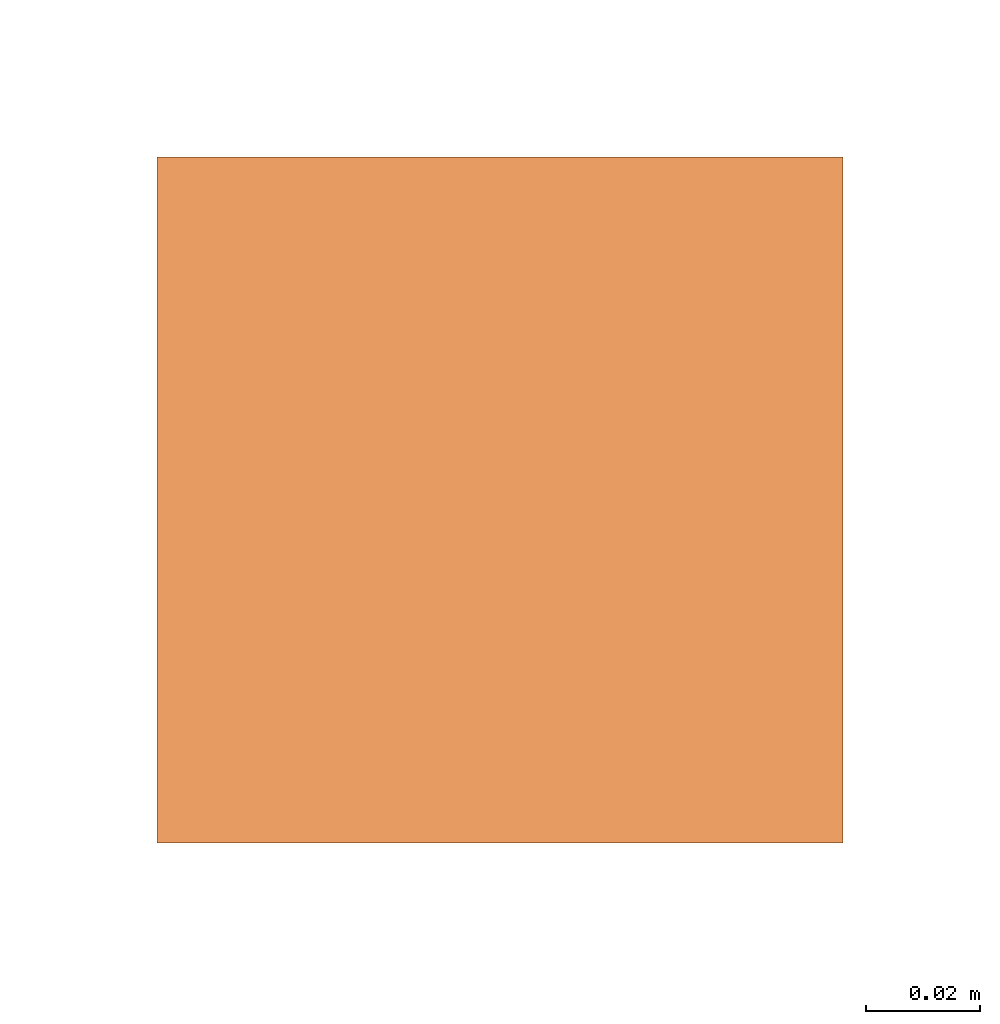
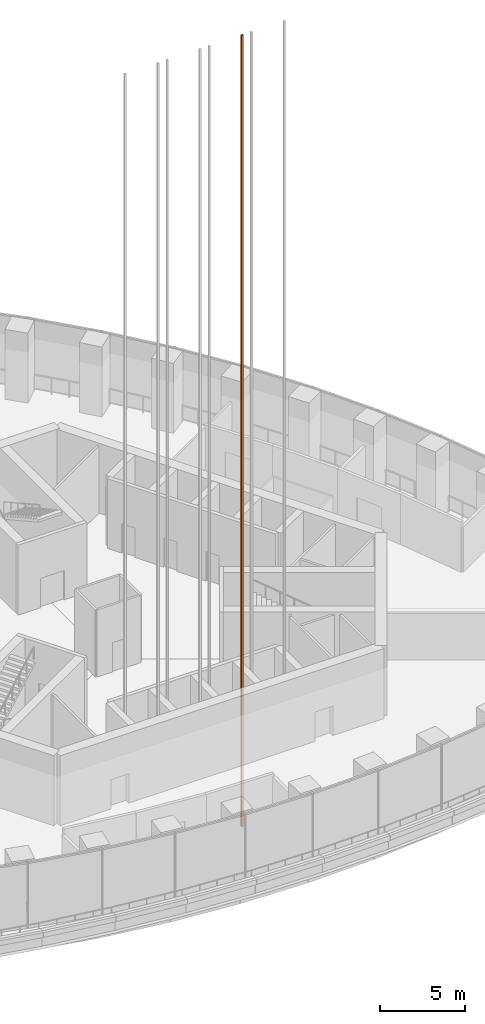
# One storey, part 24 of 26: 1 proxy.
"""IFC4 building model written with IfcOpenShell, lengths in metres."""

from ifc_helpers import new_model, si_unit, direction, frame, origin, origin_2d, place, context, subcontext, project, spatial, rectangle, extrude, element, save


model = new_model("IFC4")

# Units and contexts
model_context = context("Model", 3, precision=1e-05, world=origin(), true_north=direction((0.0, 1.0)))
body_context = subcontext(model_context, "Body", "Model", "MODEL_VIEW")
ifc_project = project(units=[si_unit("LENGTHUNIT", "METRE"), si_unit("AREAUNIT", "SQUARE_METRE"), si_unit("VOLUMEUNIT", "CUBIC_METRE"), si_unit("PLANEANGLEUNIT", "RADIAN"), si_unit("MASSUNIT", "GRAM", prefix="KILO")], contexts=[model_context])

# Site, building, storey
site_placement = place(None, origin())
site = spatial("IfcSite", under=ifc_project, at=site_placement, CompositionType="ELEMENT")
building_placement = place(site_placement, origin())
building = spatial("IfcBuilding", under=site, at=building_placement, Name="Trefoil Bronze Tower", CompositionType="ELEMENT")
storey_placement = place(building_placement, frame((0.0, 0.0, 271.300048828125)))
storey = spatial("IfcBuildingStorey", under=building, at=storey_placement, Name="L62", CompositionType="ELEMENT", Elevation=271.300048828125)

# Proxy
proxy_placement = place(storey_placement, frame((2.534912109375, -11.3125, -6.0), z_axis=(0.0, 0.0, 1.0), x_axis=(1.0, 0.0, 0.0)))
element("IfcBuildingElementProxy", 1, at=proxy_placement, inside=storey, Name="Lift P43 guide rail 2", ObjectType="LIFT GUIDE RAIL", PredefinedType="USERDEFINED", context=body_context, shape_type="SweptSolid", body=[
    extrude(rectangle(XDim=0.1201171875, YDim=0.1201171875, at=origin_2d()), origin(), (0.0, 0.0, 1.0), 56.64990234375),
])

save(model, "model.ifc")
